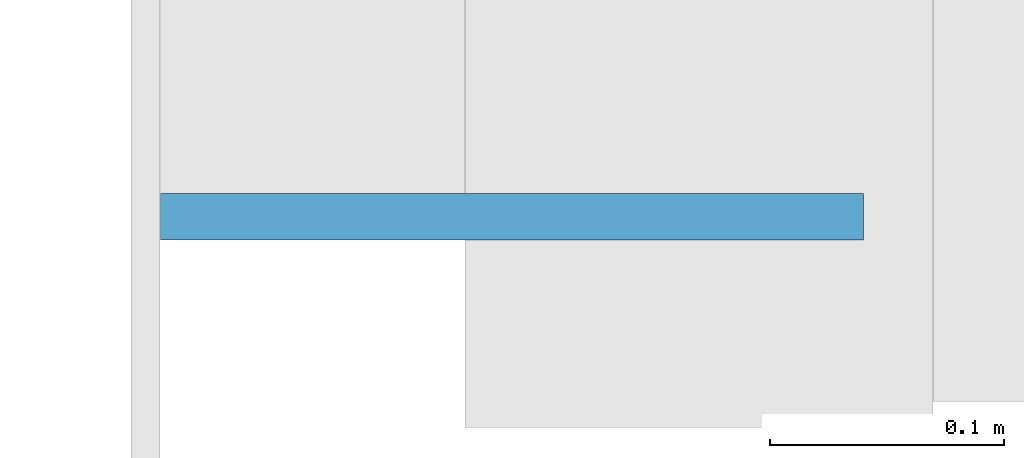
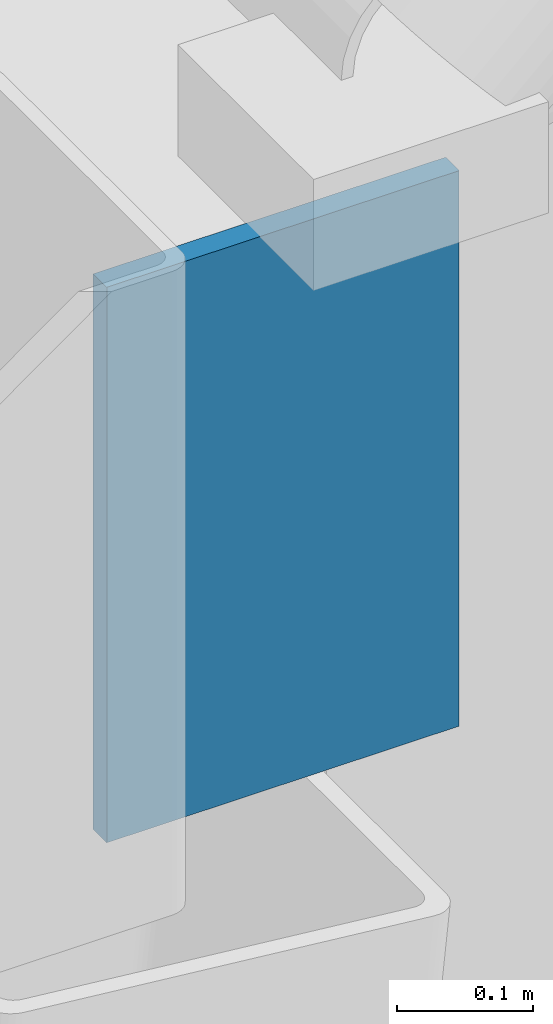
# One storey, part 95 of 141: 1 plate.
"""IFC4 building model written with IfcOpenShell, lengths in metres."""

from ifc_helpers import new_model, si_unit, direction, frame, origin, origin_2d, place, context, subcontext, project, spatial, rectangle, extrude, material, layer, layer_set, type_object, element, save


model = new_model("IFC4")

# Units and contexts
model_context = context("Model", 3, precision=1e-05, world=origin(), true_north=direction((0.0, 1.0)))
body_context = subcontext(model_context, "Body", "Model", "MODEL_VIEW")
ifc_project = project(units=[si_unit("LENGTHUNIT", "METRE"), si_unit("AREAUNIT", "SQUARE_METRE"), si_unit("VOLUMEUNIT", "CUBIC_METRE"), si_unit("PLANEANGLEUNIT", "RADIAN"), si_unit("MASSUNIT", "GRAM", prefix="KILO")], contexts=[model_context])

# Site, building, storey
site_placement = place(None, origin())
site = spatial("IfcSite", under=ifc_project, at=site_placement, CompositionType="ELEMENT")
building_placement = place(site_placement, origin())
building = spatial("IfcBuilding", under=site, at=building_placement, Name="Lantern Court Media Centre", CompositionType="ELEMENT")
storey_placement = place(building_placement, frame((0.0, 0.0, 9.60009765625)))
storey = spatial("IfcBuildingStorey", under=building, at=storey_placement, Name="L02", CompositionType="ELEMENT", Elevation=9.60009765625)

# Plate
ifc_material = material(Name="Steel S355J2 (EN 10025-2)", Category="steel")
ifc_layer = layer(ifc_material, 0.02001953125)
ifc_layer_set = layer_set([ifc_layer], Name="Steel S355J2 (EN 10025-2)")
plate_type = type_object("IfcPlateType", Name="Steel end plate 20", PredefinedType="SHEET", material=ifc_layer_set)
plate_placement = place(storey_placement, frame((-0.14990234375, -2.010009765625, 4.199951171875), z_axis=(0.0, 0.0, 1.0), x_axis=(1.0, 0.0, 0.0)))
element("IfcPlate", 1, at=plate_placement, inside=storey, type_object=plate_type, Name="Cinema Hall edge girder end plate west south", PredefinedType="SHEET", context=body_context, shape_type="SweptSolid", body=[
    extrude(rectangle(XDim=0.300048828125, YDim=0.02001953125, at=origin_2d()), origin(), (0.0, 0.0, 1.0), 0.5),
])

save(model, "model.ifc")
